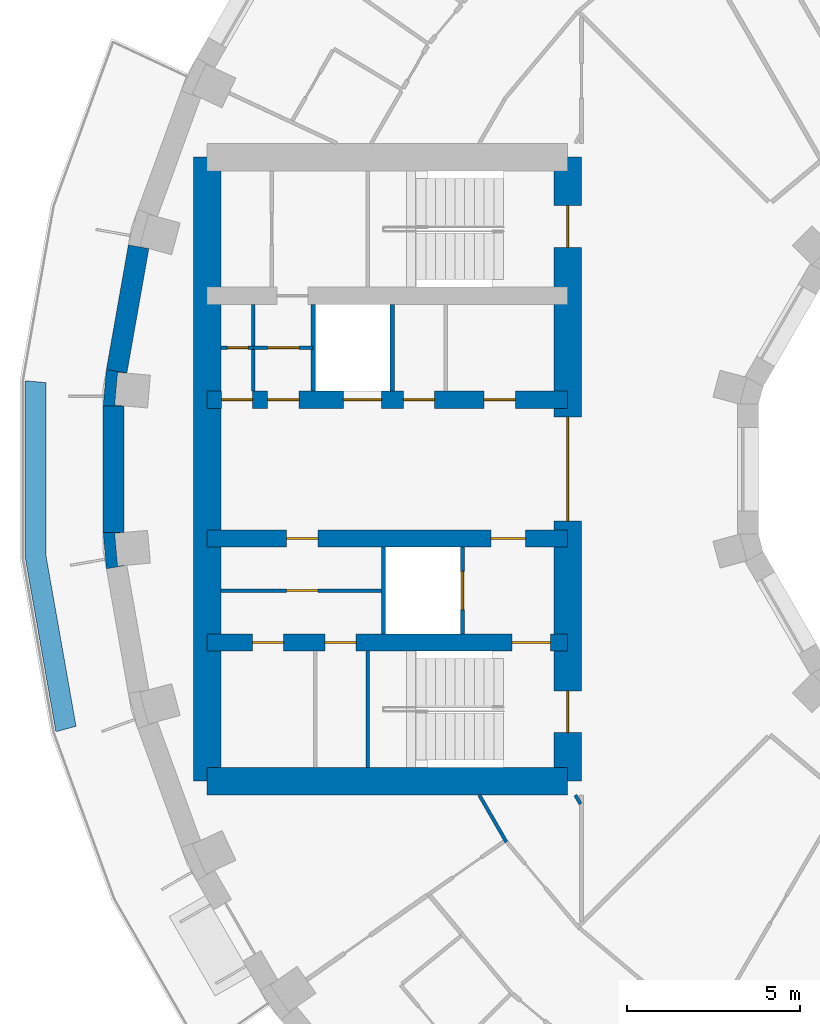
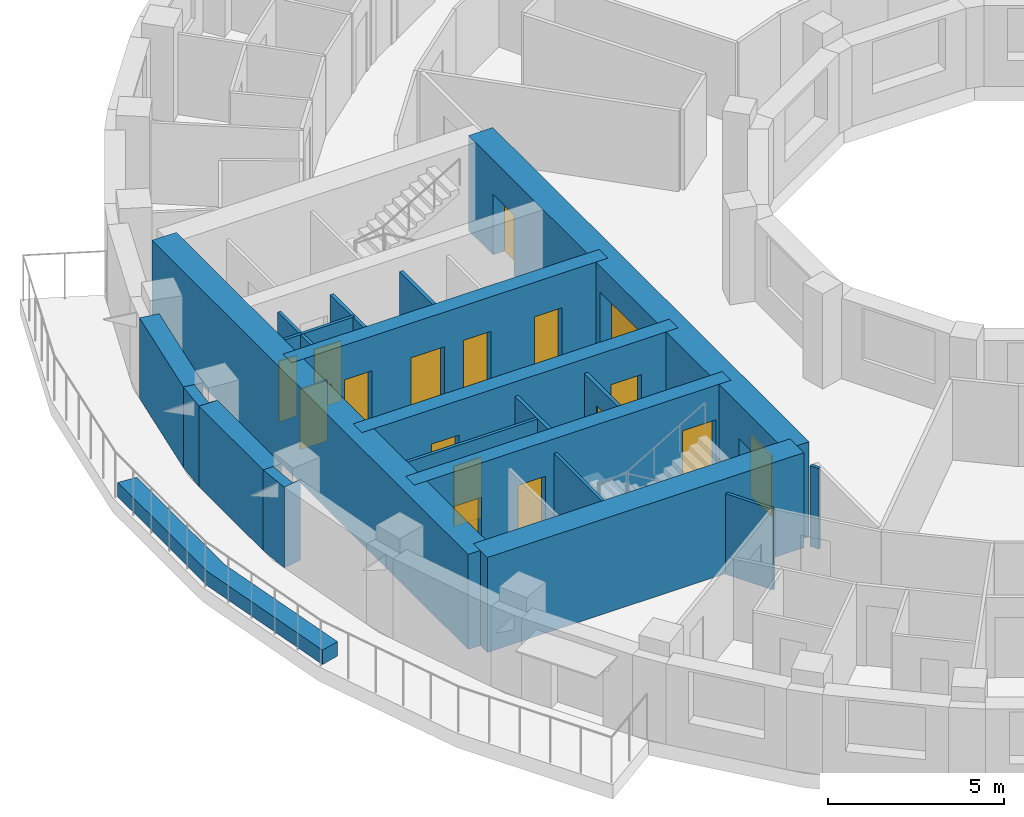
# One storey, part 4 of 12: 22 walls, 17 doors, 17 openings.
"""IFC4 building model written with IfcOpenShell, lengths in metres."""

from ifc_helpers import new_model, si_unit, direction, frame, frame_2d, origin, place, context, subcontext, project, spatial, polyline, rectangle, outline, extrude, material, layer, layer_set, type_object, element, fill, save


model = new_model("IFC4")

# Units and contexts
model_context = context("Model", 3, precision=1e-05, world=origin(), true_north=direction((0.0, 1.0)))
body_context = subcontext(model_context, "Body", "Model", "MODEL_VIEW")
ifc_project = project(units=[si_unit("LENGTHUNIT", "METRE"), si_unit("AREAUNIT", "SQUARE_METRE"), si_unit("VOLUMEUNIT", "CUBIC_METRE"), si_unit("PLANEANGLEUNIT", "RADIAN"), si_unit("MASSUNIT", "GRAM", prefix="KILO")], contexts=[model_context])

# Site, building, storey
site_placement = place(None, origin())
site = spatial("IfcSite", under=ifc_project, at=site_placement, CompositionType="ELEMENT")
building_placement = place(site_placement, origin())
building = spatial("IfcBuilding", under=site, at=building_placement, Name="Saqina Gate Tower", CompositionType="ELEMENT")
storey_placement = place(building_placement, frame((0.0, 0.0, 115.0)))
storey = spatial("IfcBuildingStorey", under=building, at=storey_placement, Name="L32", CompositionType="ELEMENT", Elevation=115.0)

# Walls
ifc_material_1 = material(Name="Brick masonry (buff)", Category="masonry")
wall_type_1 = type_object("IfcWallType", Name="BRICK PIER COPING BUFF", PredefinedType="SOLIDWALL", material=ifc_material_1)
wall_1_placement = place(storey_placement, origin())
element("IfcWall", 1, at=wall_1_placement, inside=storey, type_object=wall_type_1, Name="Pier cap L32 column 18", PredefinedType="SOLIDWALL", context=body_context, shape_type="SweptSolid", body=[
    extrude(outline(polyline([(-26.805419921875, 2.87451171875), (-26.897216796875, 1.823974609375), (-26.29736328125, 1.823974609375), (-26.565185546875, 1.847412109375), (-26.482421875, 2.793701171875), (-26.214599609375, 2.770263671875), (-26.805419921875, 2.87451171875)])), origin(), (0.0, 0.0, 1.0), 2.800048828125),
])
wall_2_placement = place(storey_placement, origin())
element("IfcWall", 2, at=wall_2_placement, inside=storey, type_object=wall_type_1, Name="Pier cap L32 column 19", PredefinedType="SOLIDWALL", context=body_context, shape_type="SweptSolid", body=[
    extrude(outline(polyline([(-26.805419921875, -2.87451171875), (-26.214599609375, -2.770263671875), (-26.482421875, -2.793701171875), (-26.565185546875, -1.847412109375), (-26.29736328125, -1.823974609375), (-26.897216796875, -1.823974609375), (-26.805419921875, -2.87451171875)])), origin(), (0.0, 0.0, 1.0), 2.800048828125),
])
ifc_material_2 = material(Name="Gypsum board on steel studs", Category="steel")
ifc_layer_1 = layer(ifc_material_2, 0.10009765625)
ifc_layer_set_1 = layer_set([ifc_layer_1], Name="CORE PARTITION")
wall_type_2 = type_object("IfcWallType", Name="CORE PARTITION", PredefinedType="PARTITIONING", material=ifc_layer_set_1)
wall_3_placement = place(storey_placement, frame((-22.569091796875, 2.25, 0.0), z_axis=(0.0, 0.0, 1.0), x_axis=(0.0, 1.0, 0.0)))
element("IfcWall", 3, at=wall_3_placement, inside=storey, type_object=wall_type_2, Name="L32-CP-W04", PredefinedType="PARTITIONING", context=body_context, shape_type="SweptSolid", body=[
    extrude(rectangle(XDim=2.5, YDim=0.10009765625, at=frame_2d((1.25, 0.0))), origin(), (0.0, 0.0, 1.0), 2.800048828125),
])

# Wall, opening, door
wall_4_placement = place(storey_placement, frame((-20.840087890625, 3.5, 0.0), z_axis=(0.0, 0.0, 1.0), x_axis=(-1.0, 0.0, 0.0)))
wall_4 = element("IfcWall", 4, at=wall_4_placement, inside=storey, type_object=wall_type_2, Name="L32-CP-W07", PredefinedType="PARTITIONING", context=body_context, shape_type="SweptSolid", body=[
    extrude(rectangle(XDim=1.72900390625, YDim=0.10009765625, at=frame_2d((0.864501953125, 0.0))), origin(), (0.0, 0.0, 1.0), 2.800048828125),
])
opening_1_placement = place(wall_4_placement, frame((0.41455078125, 0.0, 0.0)))
opening_1 = element("IfcOpeningElement", 5, at=opening_1_placement, cuts=wall_4, Name="Opening G09-D114", PredefinedType="OPENING", context=body_context, shape_type="SweptSolid", body=[
    extrude(rectangle(XDim=0.89990234375, YDim=2.10009765625, at=frame_2d((0.449951171875, 1.050048828125))), frame((0.0, 0.06201171875, 0.0), z_axis=(0.0, -1.0, 0.0), x_axis=(1.0, 0.0, 0.0)), (0.0, 0.0, 1.0), 0.1240234375),
])
ifc_material_3 = material(Name="Steel-framed fire door leaf, EI 60", Category="steel")
door_type_1 = type_object("IfcDoorType", Name="SERVICE ROOM DOOR 900", OperationType="SINGLE_SWING_LEFT", PredefinedType="DOOR", material=ifc_material_3)
door_1_placement = place(opening_1_placement, frame((0.89990234375, 0.0, 0.0), z_axis=(0.0, 0.0, 1.0), x_axis=(-1.0, 0.0, 0.0)))
door_1 = element("IfcDoor", 6, at=door_1_placement, inside=storey, type_object=door_type_1, Name="L32-CD-W25", OperationType="SINGLE_SWING_RIGHT", OverallHeight=2.10009765625, OverallWidth=0.89990234375, PredefinedType="DOOR", context=body_context, shape_type="SweptSolid", body=[
    extrude(rectangle(XDim=0.89990234375, YDim=2.10009765625, at=frame_2d((0.449951171875, 1.050048828125))), frame((0.0, 0.02490234375, 0.0), z_axis=(0.0, -1.0, 0.0), x_axis=(1.0, 0.0, 0.0)), (0.0, 0.0, 1.0), 0.050048828125),
])
fill(opening_1, door_1)

wall_5_placement = place(storey_placement, frame((-22.569091796875, 3.5, 0.0), z_axis=(0.0, 0.0, 1.0), x_axis=(-1.0, 0.0, 0.0)))
wall_5 = element("IfcWall", 7, at=wall_5_placement, inside=storey, type_object=wall_type_2, Name="L32-CP-W08", PredefinedType="PARTITIONING", context=body_context, shape_type="SweptSolid", body=[
    extrude(rectangle(XDim=0.930908203125, YDim=0.10009765625, at=frame_2d((0.46533203125, 0.0))), origin(), (0.0, 0.0, 1.0), 2.800048828125),
])
opening_2_placement = place(wall_5_placement, frame((0.14990234375, 0.0, 0.0)))
opening_2 = element("IfcOpeningElement", 8, at=opening_2_placement, cuts=wall_5, Name="Opening G09-D113", PredefinedType="OPENING", context=body_context, shape_type="SweptSolid", body=[
    extrude(rectangle(XDim=0.60009765625, YDim=2.10009765625, at=frame_2d((0.300048828125, 1.050048828125))), frame((0.0, 0.06201171875, 0.0), z_axis=(0.0, -1.0, 0.0), x_axis=(1.0, 0.0, 0.0)), (0.0, 0.0, 1.0), 0.1240234375),
])
ifc_material_4 = material(Name="Steel-framed fire door leaf, EI 60", Category="steel")
door_type_2 = type_object("IfcDoorType", Name="SERVICE ROOM DOOR 600", OperationType="SINGLE_SWING_LEFT", PredefinedType="DOOR", material=ifc_material_4)
door_2_placement = place(opening_2_placement, origin())
door_2 = element("IfcDoor", 9, at=door_2_placement, inside=storey, type_object=door_type_2, Name="L32-CD-W24", OperationType="SINGLE_SWING_RIGHT", OverallHeight=2.10009765625, OverallWidth=0.60009765625, PredefinedType="DOOR", context=body_context, shape_type="SweptSolid", body=[
    extrude(rectangle(XDim=0.60009765625, YDim=2.10009765625, at=frame_2d((0.300048828125, 1.050048828125))), frame((0.0, 0.02490234375, 0.0), z_axis=(0.0, -1.0, 0.0), x_axis=(1.0, 0.0, 0.0)), (0.0, 0.0, 1.0), 0.050048828125),
])
fill(opening_2, door_2)

wall_6_placement = place(storey_placement, frame((-18.81005859375, -3.5, 0.0), z_axis=(0.0, 0.0, 1.0), x_axis=(-1.0, 0.0, 0.0)))
wall_6 = element("IfcWall", 10, at=wall_6_placement, inside=storey, type_object=wall_type_2, Name="L32-CP-W09", PredefinedType="PARTITIONING", context=body_context, shape_type="SweptSolid", body=[
    extrude(rectangle(XDim=4.68994140625, YDim=0.10009765625, at=frame_2d((2.344970703125, 0.0))), origin(), (0.0, 0.0, 1.0), 2.800048828125),
])
opening_3_placement = place(wall_6_placement, frame((1.89501953125, 0.0, 0.0)))
opening_3 = element("IfcOpeningElement", 11, at=opening_3_placement, cuts=wall_6, Name="Opening G09-D117", PredefinedType="OPENING", context=body_context, shape_type="SweptSolid", body=[
    extrude(rectangle(XDim=0.89990234375, YDim=2.10009765625, at=frame_2d((0.449951171875, 1.050048828125))), frame((0.0, 0.06201171875, 0.0), z_axis=(0.0, -1.0, 0.0), x_axis=(1.0, 0.0, 0.0)), (0.0, 0.0, 1.0), 0.1240234375),
])
door_3_placement = place(opening_3_placement, origin())
door_3 = element("IfcDoor", 12, at=door_3_placement, inside=storey, type_object=door_type_1, Name="L32-CD-W28", OperationType="SINGLE_SWING_LEFT", OverallHeight=2.10009765625, OverallWidth=0.89990234375, PredefinedType="DOOR", context=body_context, shape_type="SweptSolid", body=[
    extrude(rectangle(XDim=0.89990234375, YDim=2.10009765625, at=frame_2d((0.449951171875, 1.050048828125))), frame((0.0, 0.02490234375, 0.0), z_axis=(0.0, -1.0, 0.0), x_axis=(1.0, 0.0, 0.0)), (0.0, 0.0, 1.0), 0.050048828125),
])
fill(opening_3, door_3)

# Walls
ifc_material_5 = material(Name="Glazed ceramic tile", Category="ceramic")
ifc_layer_2 = layer(ifc_material_5, 0.60009765625)
ifc_layer_set_2 = layer_set([ifc_layer_2], Name="FW-TILE")
wall_type_3 = type_object("IfcWallType", Name="FW-TILE", PredefinedType="SOLIDWALL", material=ifc_layer_set_2)
wall_7_placement = place(storey_placement, frame((-25.87646484375, 6.414794921875, 0.0), z_axis=(0.0, 0.0, 1.0), x_axis=(-0.173670796382, -0.984803764455, 0.0)))
element("IfcWall", 13, at=wall_7_placement, inside=storey, type_object=wall_type_3, Name="Facade wall L32 facet 17", PredefinedType="SOLIDWALL", context=body_context, shape_type="SweptSolid", body=[
    extrude(rectangle(XDim=3.64794921875, YDim=0.60009765625, at=frame_2d((1.823974609375, 0.0))), origin(), (0.0, 0.0, 1.0), 2.800048828125),
])
ifc_material_6 = material(Name="Glazed ceramic tile (dark blue)", Category="ceramic")
ifc_layer_3 = layer(ifc_material_6, 0.60009765625)
ifc_layer_set_3 = layer_set([ifc_layer_3], Name="FW-TILE-CB")
wall_type_4 = type_object("IfcWallType", Name="FW-TILE-CB", PredefinedType="SOLIDWALL", material=ifc_layer_set_3)
wall_8_placement = place(storey_placement, frame((-26.59716796875, 1.823974609375, 0.0), z_axis=(0.0, 0.0, 1.0), x_axis=(0.0, -1.0, 0.0)))
element("IfcWall", 14, at=wall_8_placement, inside=storey, type_object=wall_type_4, Name="Facade wall L32 facet 18", PredefinedType="SOLIDWALL", context=body_context, shape_type="SweptSolid", body=[
    extrude(rectangle(XDim=3.64794921875, YDim=0.60009765625, at=frame_2d((1.823974609375, 0.0))), origin(), (0.0, 0.0, 1.0), 2.800048828125),
])
ifc_material_7 = material(Name="Gypsum board on steel studs, 100 mm", Category="steel")
ifc_layer_4 = layer(ifc_material_7, 0.10009765625)
ifc_layer_set_4 = layer_set([ifc_layer_4], Name="PARTITION 100")
wall_type_5 = type_object("IfcWallType", Name="PARTITION 100", PredefinedType="PARTITIONING", material=ifc_layer_set_4)
wall_9_placement = place(storey_placement, frame((-13.278076171875, -9.40087890625, 0.0), z_axis=(0.0, 0.0, 1.0), x_axis=(0.49953088146, -0.866296080141, 0.0)))
element("IfcWall", 15, at=wall_9_placement, inside=storey, type_object=wall_type_5, Name="PARTITION PW3-11", PredefinedType="PARTITIONING", context=body_context, shape_type="SweptSolid", body=[
    extrude(rectangle(XDim=0.294189453125, YDim=0.10009765625, at=frame_2d((0.14697265625, 0.0))), origin(), (0.0, 0.0, 1.0), 2.800048828125),
])
wall_10_placement = place(storey_placement, frame((-16.050048828125, -9.39794921875, 0.0), z_axis=(0.0, 0.0, 1.0), x_axis=(0.499614353746, -0.866247942296, 0.0)))
element("IfcWall", 16, at=wall_10_placement, inside=storey, type_object=wall_type_5, Name="PARTITION PW3-12", PredefinedType="PARTITIONING", context=body_context, shape_type="SweptSolid", body=[
    extrude(rectangle(XDim=1.564208984375, YDim=0.10009765625, at=frame_2d((0.7822265625, 0.0))), origin(), (0.0, 0.0, 1.0), 2.800048828125),
])
ifc_material_8 = material(Name="Brick masonry (red)", Category="masonry")
ifc_layer_5 = layer(ifc_material_8, 0.60009765625)
ifc_layer_set_5 = layer_set([ifc_layer_5], Name="PL-PLANTER")
wall_type_6 = type_object("IfcWallType", Name="PL-PLANTER", PredefinedType="PARAPET", material=ifc_layer_set_5)
wall_11_placement = place(storey_placement, origin())
element("IfcWall", 17, at=wall_11_placement, inside=storey, type_object=wall_type_6, Name="Planter L32", PredefinedType="PARAPET", context=body_context, shape_type="SweptSolid", body=[
    extrude(outline(polyline([(-29.147216796875, 2.550048828125), (-29.147216796875, -2.550048828125), (-28.26171875, -7.57275390625), (-27.679931640625, -7.416748046875), (-28.54736328125, -2.49755859375), (-28.54736328125, 2.49755859375), (-29.147216796875, 2.550048828125)])), origin(), (0.0, 0.0, 1.0), 0.5),
])
ifc_material_9 = material(Name="Autoclaved aerated concrete block", Category="concrete")
ifc_layer_6 = layer(ifc_material_9, 0.1201171875)
ifc_layer_set_6 = layer_set([ifc_layer_6], Name="SHAFT PARTITION")
wall_type_7 = type_object("IfcWallType", Name="SHAFT PARTITION", PredefinedType="PARTITIONING", material=ifc_layer_set_6)
for number, where, z_axis, x_axis, name in (
    (18, (-18.56005859375, 2.25, 0.0), (0.0, 0.0, 1.0), (0.0, 1.0, 0.0), "L32-CP-W02"),
    (19, (-20.840087890625, 2.25, 0.0), (0.0, 0.0, 1.0), (0.0, 1.0, 0.0), "L32-CP-W03"),
):
    element("IfcWall", number, at=place(storey_placement, frame(where, z_axis=z_axis, x_axis=x_axis)), inside=storey, type_object=wall_type_7, Name=name, PredefinedType="PARTITIONING", context=body_context, shape_type="SweptSolid", body=[
        extrude(rectangle(XDim=2.5, YDim=0.1201171875, at=frame_2d((1.25, 0.0))), origin(), (0.0, 0.0, 1.0), 2.800048828125),
    ])

# Wall, opening, door
wall_12_placement = place(storey_placement, frame((-16.530029296875, -4.75, 0.0), z_axis=(0.0, 0.0, 1.0), x_axis=(0.0, 1.0, 0.0)))
wall_12 = element("IfcWall", 20, at=wall_12_placement, inside=storey, type_object=wall_type_7, Name="L32-CP-W05", PredefinedType="PARTITIONING", context=body_context, shape_type="SweptSolid", body=[
    extrude(rectangle(XDim=2.5, YDim=0.1201171875, at=frame_2d((1.25, 0.0))), origin(), (0.0, 0.0, 1.0), 2.800048828125),
])
opening_4_placement = place(wall_12_placement, frame((0.699951171875, 0.0, 0.0)))
opening_4 = element("IfcOpeningElement", 21, at=opening_4_placement, cuts=wall_12, Name="Opening G09-LD4", PredefinedType="OPENING", context=body_context, shape_type="SweptSolid", body=[
    extrude(rectangle(XDim=1.10009765625, YDim=2.10009765625, at=frame_2d((0.550048828125, 1.050048828125))), frame((0.0, 0.072021484375, 0.0), z_axis=(0.0, -1.0, 0.0), x_axis=(1.0, 0.0, 0.0)), (0.0, 0.0, 1.0), 0.14404296875),
])
ifc_material_10 = material(Name="Stainless steel", Category="steel")
door_type_3 = type_object("IfcDoorType", Name="LANDING DOOR", OperationType="DOUBLE_DOOR_SLIDING", PredefinedType="DOOR", material=ifc_material_10)
door_4_placement = place(opening_4_placement, origin())
door_4 = element("IfcDoor", 22, at=door_4_placement, inside=storey, type_object=door_type_3, Name="LANDING DOOR FF2", OperationType="DOUBLE_DOOR_SLIDING", OverallHeight=2.10009765625, OverallWidth=1.10009765625, PredefinedType="DOOR", context=body_context, shape_type="SweptSolid", body=[
    extrude(rectangle(XDim=1.10009765625, YDim=2.10009765625, at=frame_2d((0.550048828125, 1.050048828125))), frame((0.0, 0.02490234375, 0.0), z_axis=(0.0, -1.0, 0.0), x_axis=(1.0, 0.0, 0.0)), (0.0, 0.0, 1.0), 0.050048828125),
])
fill(opening_4, door_4)

# Walls
wall_13_placement = place(storey_placement, frame((-18.81005859375, -4.75, 0.0), z_axis=(0.0, 0.0, 1.0), x_axis=(0.0, 1.0, 0.0)))
element("IfcWall", 23, at=wall_13_placement, inside=storey, type_object=wall_type_7, Name="L32-CP-W06", PredefinedType="PARTITIONING", context=body_context, shape_type="SweptSolid", body=[
    extrude(rectangle(XDim=2.5, YDim=0.1201171875, at=frame_2d((1.25, 0.0))), origin(), (0.0, 0.0, 1.0), 2.800048828125),
])
ifc_material_11 = material(Name="Autoclaved aerated concrete block", Category="concrete")
ifc_layer_7 = layer(ifc_material_11, 0.10009765625)
ifc_layer_set_7 = layer_set([ifc_layer_7], Name="STAIR ENCLOSURE WALL")
wall_type_8 = type_object("IfcWallType", Name="STAIR ENCLOSURE WALL", PredefinedType="PARTITIONING", material=ifc_layer_set_7)
wall_14_placement = place(storey_placement, frame((-19.27001953125, -8.60009765625, 0.0), z_axis=(0.0, 0.0, 1.0), x_axis=(0.0, 1.0, 0.0)))
element("IfcWall", 24, at=wall_14_placement, inside=storey, type_object=wall_type_8, Name="L32-CP-W12", PredefinedType="PARTITIONING", context=body_context, shape_type="SweptSolid", body=[
    extrude(rectangle(XDim=3.35009765625, YDim=0.10009765625, at=frame_2d((1.675048828125, 0.0))), origin(), (0.0, 0.0, 1.0), 2.800048828125),
])

# Wall, openings, doors
ifc_material_12 = material(Name="Concrete C70/85", Category="concrete")
ifc_layer_8 = layer(ifc_material_12, 0.5)
ifc_layer_set_8 = layer_set([ifc_layer_8], Name="Concrete C70/85")
wall_type_9 = type_object("IfcWallType", Name="STR-CORE WALL-B-I", PredefinedType="SHEAR", material=ifc_layer_set_8)
wall_15_placement = place(storey_placement, frame((-13.5, -5.0, 0.0), z_axis=(0.0, 0.0, 1.0), x_axis=(-1.0, 0.0, 0.0)))
wall_15 = element("IfcWall", 25, at=wall_15_placement, inside=storey, type_object=wall_type_9, Name="CORE WALL L32 W-X2", PredefinedType="SHEAR", context=body_context, shape_type="SweptSolid", body=[
    extrude(rectangle(XDim=10.39990234375, YDim=0.5, at=frame_2d((5.199951171875, 0.0))), origin(), (0.0, 0.0, 1.0), 3.300048828125),
])
opening_5_placement = place(wall_15_placement, frame((6.1015625, 0.0, 0.0)))
opening_5 = element("IfcOpeningElement", 26, at=opening_5_placement, cuts=wall_15, Name="Opening G09-D118", PredefinedType="OPENING", context=body_context, shape_type="SweptSolid", body=[
    extrude(rectangle(XDim=0.89990234375, YDim=2.10009765625, at=frame_2d((0.449951171875, 1.050048828125))), frame((0.0, 0.261962890625, 0.0), z_axis=(0.0, -1.0, 0.0), x_axis=(1.0, 0.0, 0.0)), (0.0, 0.0, 1.0), 0.52392578125),
])
opening_6_placement = place(wall_15_placement, frame((8.19140625, 0.0, 0.0)))
opening_6 = element("IfcOpeningElement", 27, at=opening_6_placement, cuts=wall_15, Name="Opening G09-D119", PredefinedType="OPENING", context=body_context, shape_type="SweptSolid", body=[
    extrude(rectangle(XDim=0.89990234375, YDim=2.10009765625, at=frame_2d((0.449951171875, 1.050048828125))), frame((0.0, 0.261962890625, 0.0), z_axis=(0.0, -1.0, 0.0), x_axis=(1.0, 0.0, 0.0)), (0.0, 0.0, 1.0), 0.52392578125),
])
opening_7_placement = place(wall_15_placement, frame((0.5, 0.0, 0.0)))
opening_7 = element("IfcOpeningElement", 28, at=opening_7_placement, cuts=wall_15, Name="Opening G09-D120", PredefinedType="OPENING", context=body_context, shape_type="SweptSolid", body=[
    extrude(rectangle(XDim=1.10009765625, YDim=2.10009765625, at=frame_2d((0.550048828125, 1.050048828125))), frame((0.0, 0.261962890625, 0.0), z_axis=(0.0, -1.0, 0.0), x_axis=(1.0, 0.0, 0.0)), (0.0, 0.0, 1.0), 0.52392578125),
])
ifc_material_13 = material(Name="Steel", Category="steel")
door_type_4 = type_object("IfcDoorType", Name="FIRE LOBBY DOOR EI 60 WIDE", OperationType="SINGLE_SWING_LEFT", PredefinedType="DOOR", material=ifc_material_13)
door_5_placement = place(opening_7_placement, origin())
door_5 = element("IfcDoor", 29, at=door_5_placement, inside=storey, type_object=door_type_4, Name="L32-CD-W31", OperationType="SINGLE_SWING_LEFT", OverallHeight=2.10009765625, OverallWidth=1.10009765625, PredefinedType="DOOR", context=body_context, shape_type="SweptSolid", body=[
    extrude(rectangle(XDim=1.10009765625, YDim=2.10009765625, at=frame_2d((0.550048828125, 1.050048828125))), frame((0.0, 0.02490234375, 0.0), z_axis=(0.0, -1.0, 0.0), x_axis=(1.0, 0.0, 0.0)), (0.0, 0.0, 1.0), 0.050048828125),
])
fill(opening_7, door_5)
door_6_placement = place(opening_5_placement, frame((0.89990234375, 0.0, 0.0), z_axis=(0.0, 0.0, 1.0), x_axis=(-1.0, 0.0, 0.0)))
door_6 = element("IfcDoor", 30, at=door_6_placement, inside=storey, type_object=door_type_1, Name="L32-CD-W29", OperationType="SINGLE_SWING_LEFT", OverallHeight=2.10009765625, OverallWidth=0.89990234375, PredefinedType="DOOR", context=body_context, shape_type="SweptSolid", body=[
    extrude(rectangle(XDim=0.89990234375, YDim=2.10009765625, at=frame_2d((0.449951171875, 1.050048828125))), frame((0.0, 0.02490234375, 0.0), z_axis=(0.0, -1.0, 0.0), x_axis=(1.0, 0.0, 0.0)), (0.0, 0.0, 1.0), 0.050048828125),
])
fill(opening_5, door_6)
door_7_placement = place(opening_6_placement, origin())
door_7 = element("IfcDoor", 31, at=door_7_placement, inside=storey, type_object=door_type_1, Name="L32-CD-W30", OperationType="SINGLE_SWING_RIGHT", OverallHeight=2.10009765625, OverallWidth=0.89990234375, PredefinedType="DOOR", context=body_context, shape_type="SweptSolid", body=[
    extrude(rectangle(XDim=0.89990234375, YDim=2.10009765625, at=frame_2d((0.449951171875, 1.050048828125))), frame((0.0, 0.02490234375, 0.0), z_axis=(0.0, -1.0, 0.0), x_axis=(1.0, 0.0, 0.0)), (0.0, 0.0, 1.0), 0.050048828125),
])
fill(opening_6, door_7)

wall_16_placement = place(storey_placement, frame((-13.5, 2.0, 0.0), z_axis=(0.0, 0.0, 1.0), x_axis=(-1.0, 0.0, 0.0)))
wall_16 = element("IfcWall", 32, at=wall_16_placement, inside=storey, type_object=wall_type_9, Name="CORE WALL L32 W-L1", PredefinedType="SHEAR", context=body_context, shape_type="SweptSolid", body=[
    extrude(rectangle(XDim=10.39990234375, YDim=0.5, at=frame_2d((5.199951171875, 0.0))), origin(), (0.0, 0.0, 1.0), 3.300048828125),
])
opening_8_placement = place(wall_16_placement, frame((5.3701171875, 0.0, 0.0)))
opening_8 = element("IfcOpeningElement", 33, at=opening_8_placement, cuts=wall_16, Name="Opening G09-LD3", PredefinedType="OPENING", context=body_context, shape_type="SweptSolid", body=[
    extrude(rectangle(XDim=1.10009765625, YDim=2.10009765625, at=frame_2d((0.550048828125, 1.050048828125))), frame((0.0, 0.261962890625, 0.0), z_axis=(0.0, -1.0, 0.0), x_axis=(1.0, 0.0, 0.0)), (0.0, 0.0, 1.0), 0.52392578125),
])
opening_9_placement = place(wall_16_placement, frame((1.510986328125, 0.0, 0.0)))
opening_9 = element("IfcOpeningElement", 34, at=opening_9_placement, cuts=wall_16, Name="Opening G09-D107", PredefinedType="OPENING", context=body_context, shape_type="SweptSolid", body=[
    extrude(rectangle(XDim=0.89990234375, YDim=2.10009765625, at=frame_2d((0.449951171875, 1.050048828125))), frame((0.0, 0.261962890625, 0.0), z_axis=(0.0, -1.0, 0.0), x_axis=(1.0, 0.0, 0.0)), (0.0, 0.0, 1.0), 0.52392578125),
])
opening_10_placement = place(wall_16_placement, frame((3.841064453125, 0.0, 0.0)))
opening_10 = element("IfcOpeningElement", 35, at=opening_10_placement, cuts=wall_16, Name="Opening G09-D108", PredefinedType="OPENING", context=body_context, shape_type="SweptSolid", body=[
    extrude(rectangle(XDim=0.89990234375, YDim=2.10009765625, at=frame_2d((0.449951171875, 1.050048828125))), frame((0.0, 0.261962890625, 0.0), z_axis=(0.0, -1.0, 0.0), x_axis=(1.0, 0.0, 0.0)), (0.0, 0.0, 1.0), 0.52392578125),
])
opening_11_placement = place(wall_16_placement, frame((7.75439453125, 0.0, 0.0)))
opening_11 = element("IfcOpeningElement", 36, at=opening_11_placement, cuts=wall_16, Name="Opening G09-D109", PredefinedType="OPENING", context=body_context, shape_type="SweptSolid", body=[
    extrude(rectangle(XDim=0.89990234375, YDim=2.10009765625, at=frame_2d((0.449951171875, 1.050048828125))), frame((0.0, 0.261962890625, 0.0), z_axis=(0.0, -1.0, 0.0), x_axis=(1.0, 0.0, 0.0)), (0.0, 0.0, 1.0), 0.52392578125),
])
opening_12_placement = place(wall_16_placement, frame((9.08447265625, 0.0, 0.0)))
opening_12 = element("IfcOpeningElement", 37, at=opening_12_placement, cuts=wall_16, Name="Opening G09-D110", PredefinedType="OPENING", context=body_context, shape_type="SweptSolid", body=[
    extrude(rectangle(XDim=0.89990234375, YDim=2.10009765625, at=frame_2d((0.449951171875, 1.050048828125))), frame((0.0, 0.261962890625, 0.0), z_axis=(0.0, -1.0, 0.0), x_axis=(1.0, 0.0, 0.0)), (0.0, 0.0, 1.0), 0.52392578125),
])
door_8_placement = place(opening_8_placement, origin())
door_8 = element("IfcDoor", 38, at=door_8_placement, inside=storey, type_object=door_type_3, Name="LANDING DOOR MR2", OperationType="DOUBLE_DOOR_SLIDING", OverallHeight=2.10009765625, OverallWidth=1.10009765625, PredefinedType="DOOR", context=body_context, shape_type="SweptSolid", body=[
    extrude(rectangle(XDim=1.10009765625, YDim=2.10009765625, at=frame_2d((0.550048828125, 1.050048828125))), frame((0.0, 0.02490234375, 0.0), z_axis=(0.0, -1.0, 0.0), x_axis=(1.0, 0.0, 0.0)), (0.0, 0.0, 1.0), 0.050048828125),
])
fill(opening_8, door_8)
door_9_placement = place(opening_9_placement, frame((0.89990234375, 0.0, 0.0), z_axis=(0.0, 0.0, 1.0), x_axis=(-1.0, 0.0, 0.0)))
door_9 = element("IfcDoor", 39, at=door_9_placement, inside=storey, type_object=door_type_1, Name="L32-CD-W18", OperationType="SINGLE_SWING_RIGHT", OverallHeight=2.10009765625, OverallWidth=0.89990234375, PredefinedType="DOOR", context=body_context, shape_type="SweptSolid", body=[
    extrude(rectangle(XDim=0.89990234375, YDim=2.10009765625, at=frame_2d((0.449951171875, 1.050048828125))), frame((0.0, 0.02490234375, 0.0), z_axis=(0.0, -1.0, 0.0), x_axis=(1.0, 0.0, 0.0)), (0.0, 0.0, 1.0), 0.050048828125),
])
fill(opening_9, door_9)
door_10_placement = place(opening_10_placement, frame((0.89990234375, 0.0, 0.0), z_axis=(0.0, 0.0, 1.0), x_axis=(-1.0, 0.0, 0.0)))
door_10 = element("IfcDoor", 40, at=door_10_placement, inside=storey, type_object=door_type_1, Name="L32-CD-W19", OperationType="SINGLE_SWING_LEFT", OverallHeight=2.10009765625, OverallWidth=0.89990234375, PredefinedType="DOOR", context=body_context, shape_type="SweptSolid", body=[
    extrude(rectangle(XDim=0.89990234375, YDim=2.10009765625, at=frame_2d((0.449951171875, 1.050048828125))), frame((0.0, 0.02490234375, 0.0), z_axis=(0.0, -1.0, 0.0), x_axis=(1.0, 0.0, 0.0)), (0.0, 0.0, 1.0), 0.050048828125),
])
fill(opening_10, door_10)
door_11_placement = place(opening_11_placement, frame((0.89990234375, 0.0, 0.0), z_axis=(0.0, 0.0, 1.0), x_axis=(-1.0, 0.0, 0.0)))
door_11 = element("IfcDoor", 41, at=door_11_placement, inside=storey, type_object=door_type_1, Name="L32-CD-W20", OperationType="SINGLE_SWING_RIGHT", OverallHeight=2.10009765625, OverallWidth=0.89990234375, PredefinedType="DOOR", context=body_context, shape_type="SweptSolid", body=[
    extrude(rectangle(XDim=0.89990234375, YDim=2.10009765625, at=frame_2d((0.449951171875, 1.050048828125))), frame((0.0, 0.02490234375, 0.0), z_axis=(0.0, -1.0, 0.0), x_axis=(1.0, 0.0, 0.0)), (0.0, 0.0, 1.0), 0.050048828125),
])
fill(opening_11, door_11)
door_12_placement = place(opening_12_placement, frame((0.89990234375, 0.0, 0.0), z_axis=(0.0, 0.0, 1.0), x_axis=(-1.0, 0.0, 0.0)))
door_12 = element("IfcDoor", 42, at=door_12_placement, inside=storey, type_object=door_type_1, Name="L32-CD-W21", OperationType="SINGLE_SWING_LEFT", OverallHeight=2.10009765625, OverallWidth=0.89990234375, PredefinedType="DOOR", context=body_context, shape_type="SweptSolid", body=[
    extrude(rectangle(XDim=0.89990234375, YDim=2.10009765625, at=frame_2d((0.449951171875, 1.050048828125))), frame((0.0, 0.02490234375, 0.0), z_axis=(0.0, -1.0, 0.0), x_axis=(1.0, 0.0, 0.0)), (0.0, 0.0, 1.0), 0.050048828125),
])
fill(opening_12, door_12)

wall_17_placement = place(storey_placement, frame((-13.5, -2.0, 0.0), z_axis=(0.0, 0.0, 1.0), x_axis=(-1.0, 0.0, 0.0)))
wall_17 = element("IfcWall", 43, at=wall_17_placement, inside=storey, type_object=wall_type_9, Name="CORE WALL L32 W-L2", PredefinedType="SHEAR", context=body_context, shape_type="SweptSolid", body=[
    extrude(rectangle(XDim=10.39990234375, YDim=0.5, at=frame_2d((5.199951171875, 0.0))), origin(), (0.0, 0.0, 1.0), 3.300048828125),
])
opening_13_placement = place(wall_17_placement, frame((1.215087890625, 0.0, 0.0)))
opening_13 = element("IfcOpeningElement", 44, at=opening_13_placement, cuts=wall_17, Name="Opening G09-D111", PredefinedType="OPENING", context=body_context, shape_type="SweptSolid", body=[
    extrude(rectangle(XDim=1.0, YDim=2.10009765625, at=frame_2d((0.5, 1.050048828125))), frame((0.0, 0.261962890625, 0.0), z_axis=(0.0, -1.0, 0.0), x_axis=(1.0, 0.0, 0.0)), (0.0, 0.0, 1.0), 0.52392578125),
])
opening_14_placement = place(wall_17_placement, frame((7.205078125, 0.0, 0.0)))
opening_14 = element("IfcOpeningElement", 45, at=opening_14_placement, cuts=wall_17, Name="Opening G09-D112", PredefinedType="OPENING", context=body_context, shape_type="SweptSolid", body=[
    extrude(rectangle(XDim=0.89990234375, YDim=2.10009765625, at=frame_2d((0.449951171875, 1.050048828125))), frame((0.0, 0.261962890625, 0.0), z_axis=(0.0, -1.0, 0.0), x_axis=(1.0, 0.0, 0.0)), (0.0, 0.0, 1.0), 0.52392578125),
])
ifc_material_14 = material(Name="Steel", Category="steel")
door_type_5 = type_object("IfcDoorType", Name="FIRE LOBBY DOOR EI 60", OperationType="SINGLE_SWING_LEFT", PredefinedType="DOOR", material=ifc_material_14)
door_13_placement = place(opening_13_placement, frame((1.0, 0.0, 0.0), z_axis=(0.0, 0.0, 1.0), x_axis=(-1.0, 0.0, 0.0)))
door_13 = element("IfcDoor", 46, at=door_13_placement, inside=storey, type_object=door_type_5, Name="L32-CD-W22", OperationType="SINGLE_SWING_RIGHT", OverallHeight=2.10009765625, OverallWidth=1.0, PredefinedType="DOOR", context=body_context, shape_type="SweptSolid", body=[
    extrude(rectangle(XDim=1.0, YDim=2.10009765625, at=frame_2d((0.5, 1.050048828125))), frame((0.0, 0.02490234375, 0.0), z_axis=(0.0, -1.0, 0.0), x_axis=(1.0, 0.0, 0.0)), (0.0, 0.0, 1.0), 0.050048828125),
])
fill(opening_13, door_13)
door_14_placement = place(opening_14_placement, origin())
door_14 = element("IfcDoor", 47, at=door_14_placement, inside=storey, type_object=door_type_1, Name="L32-CD-W23", OperationType="SINGLE_SWING_RIGHT", OverallHeight=2.10009765625, OverallWidth=0.89990234375, PredefinedType="DOOR", context=body_context, shape_type="SweptSolid", body=[
    extrude(rectangle(XDim=0.89990234375, YDim=2.10009765625, at=frame_2d((0.449951171875, 1.050048828125))), frame((0.0, 0.02490234375, 0.0), z_axis=(0.0, -1.0, 0.0), x_axis=(1.0, 0.0, 0.0)), (0.0, 0.0, 1.0), 0.050048828125),
])
fill(opening_14, door_14)

ifc_material_15 = material(Name="Concrete C70/85", Category="concrete")
ifc_layer_9 = layer(ifc_material_15, 0.800048828125)
ifc_layer_set_9 = layer_set([ifc_layer_9], Name="Concrete C70/85")
wall_type_10 = type_object("IfcWallType", Name="STR-CORE WALL-B-O", PredefinedType="SHEAR", material=ifc_layer_set_9)
wall_18_placement = place(storey_placement, frame((-13.5, -9.0, 0.0), z_axis=(0.0, 0.0, 1.0), x_axis=(0.0, 1.0, 0.0)))
wall_18 = element("IfcWall", 48, at=wall_18_placement, inside=storey, type_object=wall_type_10, Name="CORE WALL L32 W-W1", PredefinedType="SHEAR", context=body_context, shape_type="SweptSolid", body=[
    extrude(rectangle(XDim=18.0, YDim=0.800048828125, at=frame_2d((9.0, 0.0))), origin(), (0.0, 0.0, 1.0), 3.300048828125),
])
opening_15_placement = place(wall_18_placement, frame((15.39990234375, 0.0, 0.0)))
opening_15 = element("IfcOpeningElement", 49, at=opening_15_placement, cuts=wall_18, Name="Opening G09-D121", PredefinedType="OPENING", context=body_context, shape_type="SweptSolid", body=[
    extrude(rectangle(XDim=1.199951171875, YDim=2.10009765625, at=frame_2d((0.60009765625, 1.050048828125))), frame((0.0, 0.412109375, 0.0), z_axis=(0.0, -1.0, 0.0), x_axis=(1.0, 0.0, 0.0)), (0.0, 0.0, 1.0), 0.823974609375),
])
opening_16_placement = place(wall_18_placement, frame((1.39990234375, 0.0, 0.0)))
opening_16 = element("IfcOpeningElement", 50, at=opening_16_placement, cuts=wall_18, Name="Opening G09-D122", PredefinedType="OPENING", context=body_context, shape_type="SweptSolid", body=[
    extrude(rectangle(XDim=1.199951171875, YDim=2.10009765625, at=frame_2d((0.60009765625, 1.050048828125))), frame((0.0, 0.412109375, 0.0), z_axis=(0.0, -1.0, 0.0), x_axis=(1.0, 0.0, 0.0)), (0.0, 0.0, 1.0), 0.823974609375),
])
opening_17_placement = place(wall_18_placement, frame((7.5, 0.0, 0.0)))
opening_17 = element("IfcOpeningElement", 51, at=opening_17_placement, cuts=wall_18, Name="Opening G09-D123", PredefinedType="OPENING", context=body_context, shape_type="SweptSolid", body=[
    extrude(rectangle(XDim=3.0, YDim=2.39990234375, at=frame_2d((1.5, 1.199951171875))), frame((0.0, 0.412109375, 0.0), z_axis=(0.0, -1.0, 0.0), x_axis=(1.0, 0.0, 0.0)), (0.0, 0.0, 1.0), 0.823974609375),
])
ifc_material_16 = material(Name="Steel", Category="steel")
door_type_6 = type_object("IfcDoorType", Name="FIRE DOOR EI 60", OperationType="SINGLE_SWING_LEFT", PredefinedType="DOOR", material=ifc_material_16)
door_15_placement = place(opening_15_placement, origin())
door_15 = element("IfcDoor", 52, at=door_15_placement, inside=storey, type_object=door_type_6, Name="L32-CD-W32", OperationType="SINGLE_SWING_RIGHT", OverallHeight=2.10009765625, OverallWidth=1.199951171875, PredefinedType="DOOR", context=body_context, shape_type="SweptSolid", body=[
    extrude(rectangle(XDim=1.199951171875, YDim=2.10009765625, at=frame_2d((0.60009765625, 1.050048828125))), frame((0.0, 0.02490234375, 0.0), z_axis=(0.0, -1.0, 0.0), x_axis=(1.0, 0.0, 0.0)), (0.0, 0.0, 1.0), 0.050048828125),
])
fill(opening_15, door_15)
door_16_placement = place(opening_16_placement, origin())
door_16 = element("IfcDoor", 53, at=door_16_placement, inside=storey, type_object=door_type_6, Name="L32-CD-W33", OperationType="SINGLE_SWING_LEFT", OverallHeight=2.10009765625, OverallWidth=1.199951171875, PredefinedType="DOOR", context=body_context, shape_type="SweptSolid", body=[
    extrude(rectangle(XDim=1.199951171875, YDim=2.10009765625, at=frame_2d((0.60009765625, 1.050048828125))), frame((0.0, 0.02490234375, 0.0), z_axis=(0.0, -1.0, 0.0), x_axis=(1.0, 0.0, 0.0)), (0.0, 0.0, 1.0), 0.050048828125),
])
fill(opening_16, door_16)
ifc_material_17 = material(Name="Steel and fire-resisting glass", Category="steel")
door_type_7 = type_object("IfcDoorType", Name="LOBBY SCREEN DOOR", OperationType="DOUBLE_DOOR_SLIDING", PredefinedType="DOOR", material=ifc_material_17)
door_17_placement = place(opening_17_placement, origin())
door_17 = element("IfcDoor", 54, at=door_17_placement, inside=storey, type_object=door_type_7, Name="L32-CD-W34", OperationType="DOUBLE_DOOR_SLIDING", OverallHeight=2.39990234375, OverallWidth=3.0, PredefinedType="DOOR", context=body_context, shape_type="SweptSolid", body=[
    extrude(rectangle(XDim=3.0, YDim=2.39990234375, at=frame_2d((1.5, 1.199951171875))), frame((0.0, 0.02490234375, 0.0), z_axis=(0.0, -1.0, 0.0), x_axis=(1.0, 0.0, 0.0)), (0.0, 0.0, 1.0), 0.050048828125),
])
fill(opening_17, door_17)

# Walls
wall_19_placement = place(storey_placement, frame((-23.89990234375, -9.0, 0.0), z_axis=(0.0, 0.0, 1.0), x_axis=(0.0, 1.0, 0.0)))
element("IfcWall", 55, at=wall_19_placement, inside=storey, type_object=wall_type_10, Name="CORE WALL L32 W-W2", PredefinedType="SHEAR", context=body_context, shape_type="SweptSolid", body=[
    extrude(rectangle(XDim=18.0, YDim=0.800048828125, at=frame_2d((9.0, 0.0))), origin(), (0.0, 0.0, 1.0), 3.300048828125),
])
wall_20_placement = place(storey_placement, frame((-13.5, -9.0, 0.0), z_axis=(0.0, 0.0, 1.0), x_axis=(-1.0, 0.0, 0.0)))
element("IfcWall", 56, at=wall_20_placement, inside=storey, type_object=wall_type_10, Name="CORE WALL L32 W-SE", PredefinedType="SHEAR", context=body_context, shape_type="SweptSolid", body=[
    extrude(rectangle(XDim=10.39990234375, YDim=0.800048828125, at=frame_2d((5.199951171875, 0.0))), origin(), (0.0, 0.0, 1.0), 3.300048828125),
])

save(model, "model.ifc")
